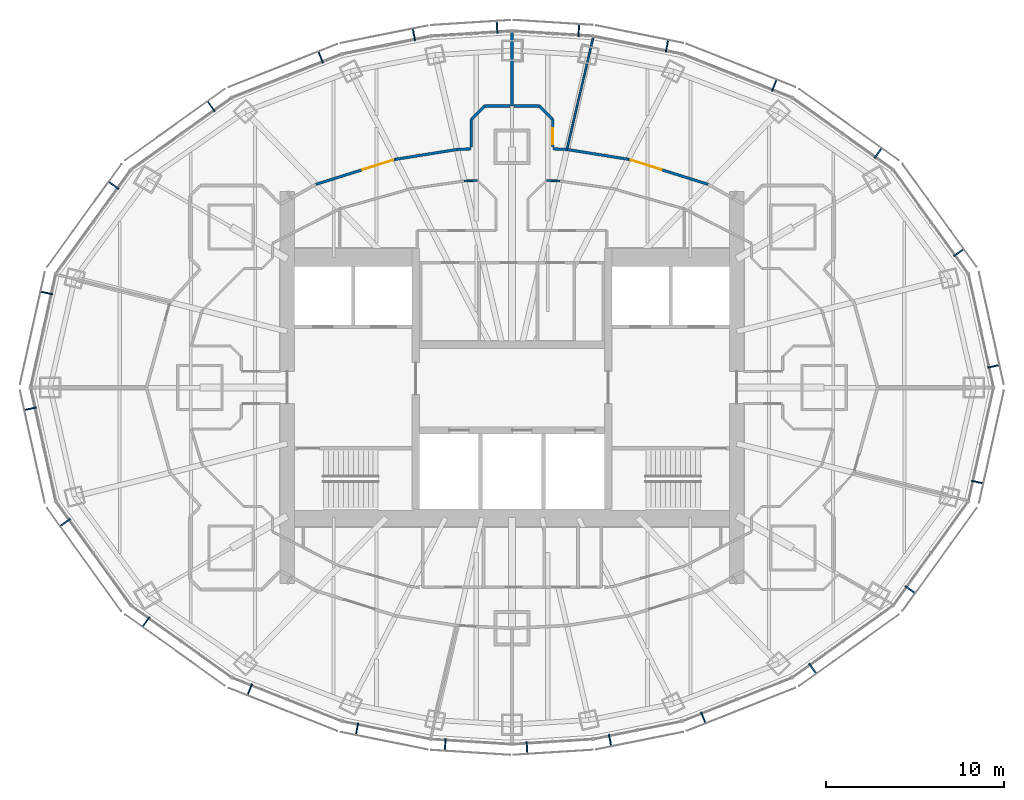
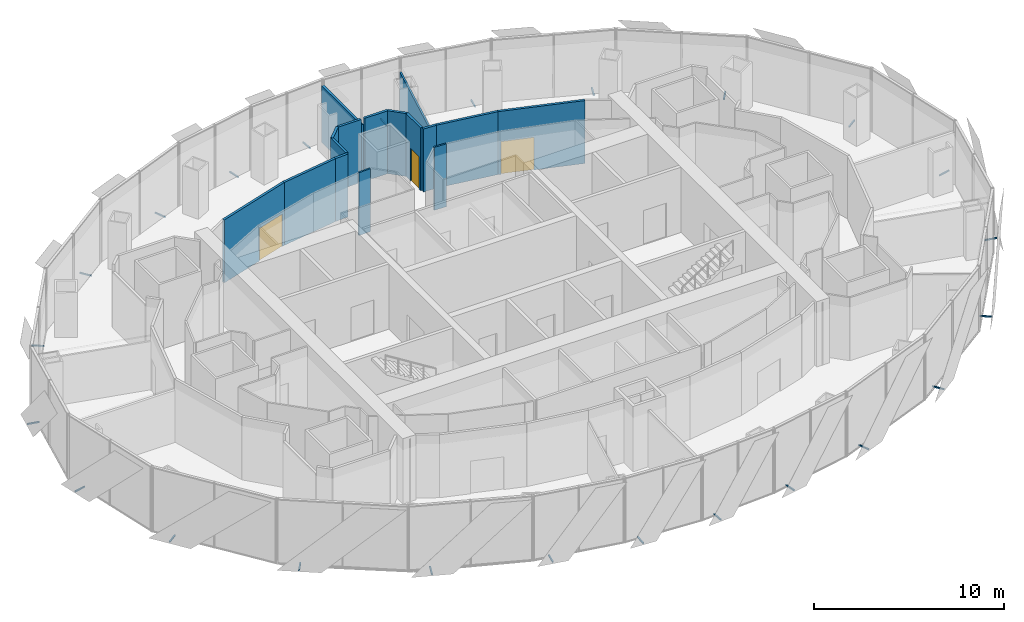
# One storey, part 15 of 18: 24 discrete accessories, 16 walls, 3 doors, 3 openings.
"""IFC4 building model written with IfcOpenShell, lengths in metres."""

import ifcopenshell
import ifcopenshell.guid

model = None  # the IFC model being written
_history = None  # IfcOwnerHistory: only IFC2X3 demands one
_inside = {}  # id of a spatial element -> (the spatial element, [elements in it])
_under = {}  # id of a project, library or spatial element -> (it, [spatial elements below it])
_declared = {}  # id of a project -> (the project, [libraries it declares])
_typed = {}  # id of a type object -> (the type object, [elements of that type])
_made_of = {}  # id of a material, layer set ... -> (it, [elements and type objects made of it])


def new_model(schema):
    """Start an empty IFC model of exactly this schema.

    Asked for "IFC4X3", IfcOpenShell would pick the latest addendum, in which some entities
    have other attributes; the version numbers below select the first issue.
    IFC2X3 requires an IfcOwnerHistory on every rooted entity: one is made here for all.
    """
    global model, _history
    if schema == "IFC4X3":
        model = ifcopenshell.file(schema_version=(4, 3, 0, 0))
    else:
        model = ifcopenshell.file(schema=schema)
    _inside.clear()
    _under.clear()
    _declared.clear()
    _typed.clear()
    _made_of.clear()
    _history = None
    if model.schema == "IFC2X3":
        org = make("IfcOrganization", Name="unknown")
        user = make(
            "IfcPersonAndOrganization",
            ThePerson=make("IfcPerson", FamilyName="unknown"),
            TheOrganization=org,
        )
        app = make(
            "IfcApplication",
            ApplicationDeveloper=org,
            Version="unknown",
            ApplicationFullName="unknown",
            ApplicationIdentifier="unknown",
        )
        _history = make(
            "IfcOwnerHistory",
            OwningUser=user,
            OwningApplication=app,
            ChangeAction="ADDED",
            CreationDate=0,
        )
    return model


def make(cls, **values):
    """One entity of the class cls with the attributes given. An attribute that is None is left unset."""
    return model.create_entity(
        cls, **{name: value for name, value in values.items() if value is not None}
    )


def rooted(cls, **values):
    """An entity with a GlobalId (a new one), such as an element, a storey or a relation."""
    return make(cls, GlobalId=ifcopenshell.guid.new(), OwnerHistory=_history, **values)


def si_unit(unit_type, name, prefix=None):
    """IfcSIUnit, for example si_unit("LENGTHUNIT", "METRE", prefix="MILLI")."""
    return make("IfcSIUnit", UnitType=unit_type, Prefix=prefix, Name=name)


def assignment(units):
    """IfcUnitAssignment: the units of a project."""
    return None if units is None else make("IfcUnitAssignment", Units=units)


def point(xyz):
    """IfcCartesianPoint."""
    return None if xyz is None else make("IfcCartesianPoint", Coordinates=xyz)


def direction(xyz):
    """IfcDirection."""
    return None if xyz is None else make("IfcDirection", DirectionRatios=xyz)


def frame(location, z_axis=None, x_axis=None):
    """IfcAxis2Placement3D, a coordinate frame: its origin and axes. An axis left out is left unset."""
    return make(
        "IfcAxis2Placement3D",
        Location=point(location),
        Axis=direction(z_axis),
        RefDirection=direction(x_axis),
    )


def frame_2d(location, x_axis=None):
    """IfcAxis2Placement2D, a coordinate frame in the plane: its origin and x axis."""
    return make(
        "IfcAxis2Placement2D", Location=point(location), RefDirection=direction(x_axis)
    )


def origin():
    """The frame at (0, 0, 0) with its axes left unset."""
    return frame((0.0, 0.0, 0.0))


def origin_2d():
    """The frame at (0, 0) in the plane with its x axis left unset."""
    return frame_2d((0.0, 0.0))


def place(relative_to, where):
    """IfcLocalPlacement: puts the frame where relative to a parent placement (None: the world)."""
    return make(
        "IfcLocalPlacement", PlacementRelTo=relative_to, RelativePlacement=where
    )


def context(
    kind, dimensions, precision=None, world=None, true_north=None, identifier=None
):
    """IfcGeometricRepresentationContext, for example the 3D "Model" context."""
    return make(
        "IfcGeometricRepresentationContext",
        ContextIdentifier=identifier,
        ContextType=kind,
        CoordinateSpaceDimension=dimensions,
        Precision=precision,
        WorldCoordinateSystem=world,
        TrueNorth=true_north,
    )


def subcontext(parent, identifier, kind, view, scale=None):
    """IfcGeometricRepresentationSubContext, for example "Body" below "Model"."""
    return make(
        "IfcGeometricRepresentationSubContext",
        ContextIdentifier=identifier,
        ContextType=kind,
        ParentContext=parent,
        TargetScale=scale,
        TargetView=view,
    )


def project(units=None, contexts=None):
    """IfcProject with its units and contexts."""
    return rooted(
        "IfcProject",
        Name="project",
        RepresentationContexts=contexts,
        UnitsInContext=assignment(units),
    )


def spatial(cls, under=None, at=None, **own):
    """A site, building, storey or space (cls), placed at a placement, below another one or the project."""
    s = rooted(cls, ObjectPlacement=at, **own)
    if under is not None:
        _under.setdefault(under.id(), (under, []))[1].append(s)
    return s


def profile(cls, at=None, kind="AREA", **sizes):
    """A parametric profile (cls). Its sizes go by their IFC names, for example OverallWidth=200.0."""
    return make(cls, ProfileType=kind, Position=at, **sizes)


def rectangle(**sizes):
    """IfcRectangleProfileDef."""
    return profile("IfcRectangleProfileDef", **sizes)


def extrude(swept, where, along, depth):
    """IfcExtrudedAreaSolid: the profile swept, set in the frame where, extruded along a direction by depth."""
    return make(
        "IfcExtrudedAreaSolid",
        SweptArea=swept,
        Position=where,
        ExtrudedDirection=direction(along),
        Depth=depth,
    )


def shape(context_of_items, identifier, shape_type, items):
    """IfcShapeRepresentation: the items that make up one representation, for example the "Body"."""
    return make(
        "IfcShapeRepresentation",
        ContextOfItems=context_of_items,
        RepresentationIdentifier=identifier,
        RepresentationType=shape_type,
        Items=items,
    )


def material(Name=None, Category=None):
    """IfcMaterial."""
    return make("IfcMaterial", Name=Name, Category=Category)


def layer(
    of_material, thickness, ventilated=None, Name=None, Category=None, Priority=None
):
    """IfcMaterialLayer: one layer of a wall or slab, of a material (None: an air gap)."""
    return make(
        "IfcMaterialLayer",
        Material=of_material,
        LayerThickness=thickness,
        IsVentilated=ventilated,
        Name=Name,
        Category=Category,
        Priority=Priority,
    )


def layer_set(layers, Name=None):
    """IfcMaterialLayerSet."""
    return make("IfcMaterialLayerSet", MaterialLayers=layers, LayerSetName=Name)


def made_of(thing, what):
    """Note that an element or type object is made of a material, layer set ...; save() writes the relation."""
    if what is not None:
        _made_of.setdefault(what.id(), (what, []))[1].append(thing)
    return thing


def type_object(cls, material=None, **own):
    """A type object (cls), such as IfcWallType, which elements share."""
    return made_of(rooted(cls, **own), material)


def element(
    cls,
    number,
    at=None,
    inside=None,
    cuts=None,
    type_object=None,
    material=None,
    context=None,
    identifier="Body",
    shape_type=None,
    held_by="IfcProductDefinitionShape",
    body=None,
    shapes=None,
    **own,
):
    """One element of the class cls, such as IfcWall. Its Tag is "e" and its number.

    at: its placement. inside: the storey or other place that contains it. cuts: it is an
    opening in that element (IfcRelVoidsElement). A single representation is given by context,
    identifier, shape_type and body (its items); several are given by shapes. held_by: the class
    of the entity that holds the representations. save() writes the other relations.
    """
    e = rooted(cls, Tag="e%d" % number, ObjectPlacement=at, **own)
    if body is not None:
        shapes = [shape(context, identifier, shape_type, body)]
    if shapes is not None:
        e.Representation = make(held_by, Representations=shapes)
    if inside is not None:
        _inside.setdefault(inside.id(), (inside, []))[1].append(e)
    if cuts is not None:
        rooted(
            "IfcRelVoidsElement", RelatingBuildingElement=cuts, RelatedOpeningElement=e
        )
    if type_object is not None:
        _typed.setdefault(type_object.id(), (type_object, []))[1].append(e)
    return made_of(e, material)


def fill(opening, filler):
    """IfcRelFillsElement: the door or window that sits in an opening."""
    return rooted(
        "IfcRelFillsElement",
        RelatingOpeningElement=opening,
        RelatedBuildingElement=filler,
    )


def aggregate(whole, parts):
    """IfcRelAggregates: a whole, such as a stair, and the parts it consists of."""
    return rooted("IfcRelAggregates", RelatingObject=whole, RelatedObjects=parts)


def save(model, path):
    """Write the relations noted so far, then the file.

    IfcRelAggregates (storeys below a building ...), IfcRelContainedInSpatialStructure (elements
    in a storey), IfcRelDefinesByType, IfcRelAssociatesMaterial and IfcRelDeclares: one each for
    every whole, place, type object, material and project.
    """
    for whole, parts in _under.values():
        aggregate(whole, parts)
    for where, things in _inside.values():
        rooted(
            "IfcRelContainedInSpatialStructure",
            RelatedElements=things,
            RelatingStructure=where,
        )
    for kind, things in _typed.values():
        rooted("IfcRelDefinesByType", RelatedObjects=things, RelatingType=kind)
    for what, things in _made_of.values():
        rooted("IfcRelAssociatesMaterial", RelatedObjects=things, RelatingMaterial=what)
    for by, libraries in _declared.values():
        rooted("IfcRelDeclares", RelatingContext=by, RelatedDefinitions=libraries)
    model.write(path)


model = new_model("IFC4")

# Units and contexts
model_context = context("Model", 3, precision=1e-05, world=origin(), true_north=direction((0.0, 1.0)))
body_context = subcontext(model_context, "Body", "Model", "MODEL_VIEW")
ifc_project = project(units=[si_unit("LENGTHUNIT", "METRE"), si_unit("AREAUNIT", "SQUARE_METRE"), si_unit("VOLUMEUNIT", "CUBIC_METRE"), si_unit("PLANEANGLEUNIT", "RADIAN"), si_unit("MASSUNIT", "GRAM", prefix="KILO")], contexts=[model_context])

# Site, building, storey
site_placement = place(None, origin())
site = spatial("IfcSite", under=ifc_project, at=site_placement, CompositionType="ELEMENT")
building_placement = place(site_placement, origin())
building = spatial("IfcBuilding", under=site, at=building_placement, Name="Lantaw Convention Tower", CompositionType="ELEMENT")
storey_placement = place(building_placement, frame((0.0, 0.0, 262.0)))
storey = spatial("IfcBuildingStorey", under=building, at=storey_placement, Name="L61", CompositionType="ELEMENT", Elevation=262.0)

# Wall, opening, door
ifc_material_1 = material(Name="Gypsum board on steel studs, fire rated", Category="steel")
ifc_layer_1 = layer(ifc_material_1, 0.14990234375)
ifc_layer_set_1 = layer_set([ifc_layer_1], Name="Corridor wall 150 EI 60")
wall_type_1 = type_object("IfcWallType", Name="Corridor wall 150 EI 60", PredefinedType="PARTITIONING", material=ifc_layer_set_1)
wall_1_placement = place(storey_placement, frame((11.000732421875, 11.3916015625, 0.0), z_axis=(0.0, 0.0, 1.0), x_axis=(-0.954031103669, 0.299707612903, 0.0)))
wall_1 = element("IfcWall", 1, at=wall_1_placement, inside=storey, type_object=wall_type_1, Name="Corridor wall 150", PredefinedType="PARTITIONING", context=body_context, shape_type="SweptSolid", body=[
    extrude(rectangle(XDim=4.6953125, YDim=0.14990234375, at=frame_2d((2.34765625, 0.0))), origin(), (0.0, 0.0, 1.0), 4.050048828125),
])
opening_1_placement = place(wall_1_placement, frame((2.745361328125, 0.0, 0.0)))
opening_1 = element("IfcOpeningElement", 2, at=opening_1_placement, cuts=wall_1, Name="Opening L61.30", PredefinedType="OPENING", context=body_context, shape_type="SweptSolid", body=[
    extrude(rectangle(XDim=1.800048828125, YDim=2.10009765625, at=frame_2d((0.89990234375, 1.050048828125))), frame((0.0, 0.0849609375, 0.0), z_axis=(0.0, -1.0, 0.0), x_axis=(1.0, 0.0, 0.0)), (0.0, 0.0, 1.0), 0.169921875),
])
ifc_material_2 = material(Name="Steel, fire rated", Category="steel")
door_type_1 = type_object("IfcDoorType", Name="Office double door 1800 FD30", OperationType="DOUBLE_DOOR_DOUBLE_SWING", PredefinedType="DOOR", material=ifc_material_2)
door_1_placement = place(opening_1_placement, origin())
door_1 = element("IfcDoor", 3, at=door_1_placement, inside=storey, type_object=door_type_1, Name="Tenant suite door", OperationType="DOUBLE_DOOR_DOUBLE_SWING", OverallHeight=2.10009765625, OverallWidth=1.800048828125, PredefinedType="DOOR", context=body_context, shape_type="SweptSolid", body=[
    extrude(rectangle(XDim=1.800048828125, YDim=2.10009765625, at=frame_2d((0.89990234375, 1.050048828125))), frame((0.0, 0.02490234375, 0.0), z_axis=(0.0, -1.0, 0.0), x_axis=(1.0, 0.0, 0.0)), (0.0, 0.0, 1.0), 0.050048828125),
])
fill(opening_1, door_1)

# Walls
for number, where, z_axis, x_axis, name in (
    (4, (6.521240234375, 12.798828125, 0.0), (0.0, 0.0, 1.0), (-0.987554093087, 0.157279729233, 0.0), "Corridor wall 150"),
    (5, (-3.081298828125, 13.3466796875, 0.0), (0.0, 0.0, 1.0), (-0.987554093087, -0.157279729233, 0.0), "Corridor wall 150"),
):
    element("IfcWall", number, at=place(storey_placement, frame(where, z_axis=z_axis, x_axis=x_axis)), inside=storey, type_object=wall_type_1, Name=name, PredefinedType="PARTITIONING", context=body_context, shape_type="SweptSolid", body=[
        extrude(rectangle(XDim=3.4833984375, YDim=0.14990234375, at=frame_2d((1.74169921875, 0.0))), origin(), (0.0, 0.0, 1.0), 4.050048828125),
    ])

# Wall, opening, door
wall_2_placement = place(storey_placement, frame((-6.521240234375, 12.798828125, 0.0), z_axis=(0.0, 0.0, 1.0), x_axis=(-0.954031103669, -0.299707612903, 0.0)))
wall_2 = element("IfcWall", 6, at=wall_2_placement, inside=storey, type_object=wall_type_1, Name="Corridor wall 150", PredefinedType="PARTITIONING", context=body_context, shape_type="SweptSolid", body=[
    extrude(rectangle(XDim=4.6953125, YDim=0.14990234375, at=frame_2d((2.34765625, 0.0))), origin(), (0.0, 0.0, 1.0), 4.050048828125),
])
opening_2_placement = place(wall_2_placement, frame((0.14990234375, 0.0, 0.0)))
opening_2 = element("IfcOpeningElement", 7, at=opening_2_placement, cuts=wall_2, Name="Opening L61.32", PredefinedType="OPENING", context=body_context, shape_type="SweptSolid", body=[
    extrude(rectangle(XDim=1.800048828125, YDim=2.10009765625, at=frame_2d((0.89990234375, 1.050048828125))), frame((0.0, 0.0849609375, 0.0), z_axis=(0.0, -1.0, 0.0), x_axis=(1.0, 0.0, 0.0)), (0.0, 0.0, 1.0), 0.169921875),
])
door_2_placement = place(opening_2_placement, origin())
door_2 = element("IfcDoor", 8, at=door_2_placement, inside=storey, type_object=door_type_1, Name="Tenant suite door", OperationType="DOUBLE_DOOR_DOUBLE_SWING", OverallHeight=2.10009765625, OverallWidth=1.800048828125, PredefinedType="DOOR", context=body_context, shape_type="SweptSolid", body=[
    extrude(rectangle(XDim=1.800048828125, YDim=2.10009765625, at=frame_2d((0.89990234375, 1.050048828125))), frame((0.0, 0.02490234375, 0.0), z_axis=(0.0, -1.0, 0.0), x_axis=(1.0, 0.0, 0.0)), (0.0, 0.0, 1.0), 0.050048828125),
])
fill(opening_2, door_2)

# Walls
for number, where, z_axis, x_axis, name in (
    (9, (3.081298828125, 13.3466796875, 0.0), (0.0, 0.0, 1.0), (-0.998768524691, 0.049612841959, 0.0), "Corridor wall 150"),
    (10, (-2.294921875, 13.3857421875, 0.0), (0.0, 0.0, 1.0), (-0.998768524691, -0.049612841959, 0.0), "Corridor wall 150"),
):
    element("IfcWall", number, at=place(storey_placement, frame(where, z_axis=z_axis, x_axis=x_axis)), inside=storey, type_object=wall_type_1, Name=name, PredefinedType="PARTITIONING", context=body_context, shape_type="SweptSolid", body=[
        extrude(rectangle(XDim=0.787353515625, YDim=0.14990234375, at=frame_2d((0.3935546875, 0.0))), origin(), (0.0, 0.0, 1.0), 4.050048828125),
    ])
wall_3_placement = place(storey_placement, frame((0.103271484375, 15.784912109375, 0.0), z_axis=(0.0, 0.0, 1.0), x_axis=(1.0, 0.0, 0.0)))
element("IfcWall", 11, at=wall_3_placement, inside=storey, type_object=wall_type_1, Name="Corridor wall 150", PredefinedType="PARTITIONING", context=body_context, shape_type="SweptSolid", body=[
    extrude(rectangle(XDim=1.428955078125, YDim=0.14990234375, at=frame_2d((0.71435546875, 0.0))), origin(), (0.0, 0.0, 1.0), 4.050048828125),
])
wall_4_placement = place(storey_placement, frame((1.5322265625, 15.784912109375, 0.0), z_axis=(0.0, 0.0, 1.0), x_axis=(0.707106781187, -0.707106781187, 0.0)))
element("IfcWall", 12, at=wall_4_placement, inside=storey, type_object=wall_type_1, Name="Corridor wall 150", PredefinedType="PARTITIONING", context=body_context, shape_type="SweptSolid", body=[
    extrude(rectangle(XDim=1.064453125, YDim=0.14990234375, at=frame_2d((0.5322265625, 0.0))), origin(), (0.0, 0.0, 1.0), 4.050048828125),
])

# Wall, opening, door
wall_5_placement = place(storey_placement, frame((2.284912109375, 15.0322265625, 0.0), z_axis=(0.0, 0.0, 1.0), x_axis=(0.0, -1.0, 0.0)))
wall_5 = element("IfcWall", 13, at=wall_5_placement, inside=storey, type_object=wall_type_1, Name="Corridor wall 150", PredefinedType="PARTITIONING", context=body_context, shape_type="SweptSolid", body=[
    extrude(rectangle(XDim=1.544921875, YDim=0.14990234375, at=frame_2d((0.7724609375, 0.0))), origin(), (0.0, 0.0, 1.0), 4.050048828125),
])
opening_3_placement = place(wall_5_placement, frame((0.5, 0.0, 0.0)))
opening_3 = element("IfcOpeningElement", 14, at=opening_3_placement, cuts=wall_5, Name="Opening L61.31", PredefinedType="OPENING", context=body_context, shape_type="SweptSolid", body=[
    extrude(rectangle(XDim=0.89990234375, YDim=2.10009765625, at=frame_2d((0.449951171875, 1.050048828125))), frame((0.0, 0.0849609375, 0.0), z_axis=(0.0, -1.0, 0.0), x_axis=(1.0, 0.0, 0.0)), (0.0, 0.0, 1.0), 0.169921875),
])
door_type_2 = type_object("IfcDoorType", Name="Office door 900 FD30", OperationType="SINGLE_SWING_LEFT", PredefinedType="DOOR", material=ifc_material_2)
door_3_placement = place(opening_3_placement, origin())
door_3 = element("IfcDoor", 15, at=door_3_placement, inside=storey, type_object=door_type_2, Name="Meeting room door", OperationType="SINGLE_SWING_LEFT", OverallHeight=2.10009765625, OverallWidth=0.89990234375, PredefinedType="DOOR", context=body_context, shape_type="SweptSolid", body=[
    extrude(rectangle(XDim=0.89990234375, YDim=2.10009765625, at=frame_2d((0.449951171875, 1.050048828125))), frame((0.0, 0.02490234375, 0.0), z_axis=(0.0, -1.0, 0.0), x_axis=(1.0, 0.0, 0.0)), (0.0, 0.0, 1.0), 0.050048828125),
])
fill(opening_3, door_3)

# Walls
wall_6_placement = place(storey_placement, frame((-2.284912109375, 13.4873046875, 0.0), z_axis=(0.0, 0.0, 1.0), x_axis=(0.0, 1.0, 0.0)))
element("IfcWall", 16, at=wall_6_placement, inside=storey, type_object=wall_type_1, Name="Corridor wall 150", PredefinedType="PARTITIONING", context=body_context, shape_type="SweptSolid", body=[
    extrude(rectangle(XDim=1.544921875, YDim=0.14990234375, at=frame_2d((0.7724609375, 0.0))), origin(), (0.0, 0.0, 1.0), 4.050048828125),
])
wall_7_placement = place(storey_placement, frame((-2.284912109375, 15.0322265625, 0.0), z_axis=(0.0, 0.0, 1.0), x_axis=(0.707106781187, 0.707106781187, 0.0)))
element("IfcWall", 17, at=wall_7_placement, inside=storey, type_object=wall_type_1, Name="Corridor wall 150", PredefinedType="PARTITIONING", context=body_context, shape_type="SweptSolid", body=[
    extrude(rectangle(XDim=1.064453125, YDim=0.14990234375, at=frame_2d((0.5322265625, 0.0))), origin(), (0.0, 0.0, 1.0), 4.050048828125),
])
wall_8_placement = place(storey_placement, frame((-1.5322265625, 15.784912109375, 0.0), z_axis=(0.0, 0.0, 1.0), x_axis=(1.0, 0.0, 0.0)))
element("IfcWall", 18, at=wall_8_placement, inside=storey, type_object=wall_type_1, Name="Corridor wall 150", PredefinedType="PARTITIONING", context=body_context, shape_type="SweptSolid", body=[
    extrude(rectangle(XDim=1.428955078125, YDim=0.14990234375, at=frame_2d((0.71435546875, 0.0))), origin(), (0.0, 0.0, 1.0), 4.050048828125),
])
ifc_material_3 = material(Name="Gypsum board on steel studs, acoustic", Category="steel")
ifc_layer_2 = layer(ifc_material_3, 0.10009765625)
ifc_layer_set_2 = layer_set([ifc_layer_2], Name="Office partition 100")
wall_type_2 = type_object("IfcWallType", Name="Office partition 100", PredefinedType="PARTITIONING", material=ifc_layer_set_2)
wall_9_placement = place(storey_placement, frame((4.5556640625, 19.65673828125, 0.0), z_axis=(0.0, 0.0, 1.0), x_axis=(-0.227524978141, -0.973772244584, 0.0)))
element("IfcWall", 19, at=wall_9_placement, inside=storey, type_object=wall_type_2, Name="Office partition 100", PredefinedType="PARTITIONING", context=body_context, shape_type="SweptSolid", body=[
    extrude(rectangle(XDim=6.47998046875, YDim=0.10009765625, at=frame_2d((3.239990234375, 0.0))), origin(), (0.0, 0.0, 1.0), 3.107666015625),
])
for number, where, z_axis, x_axis, name in (
    (20, (1.944091796875, 11.612548828125, 0.0), (0.0, 0.0, 1.0), (0.99899525873, -0.04481599085, 0.0), "Office partition 100"),
    (21, (-2.67333984375, 11.579833984375, 0.0), (0.0, 0.0, 1.0), (0.99899525873, 0.04481599085, 0.0), "Office partition 100"),
):
    element("IfcWall", number, at=place(storey_placement, frame(where, z_axis=z_axis, x_axis=x_axis)), inside=storey, type_object=wall_type_2, Name=name, PredefinedType="PARTITIONING", context=body_context, shape_type="SweptSolid", body=[
        extrude(rectangle(XDim=0.72998046875, YDim=0.10009765625, at=frame_2d((0.364990234375, 0.0))), origin(), (0.0, 0.0, 1.0), 4.050048828125),
    ])
ifc_layer_3 = layer(ifc_material_1, 0.14990234375)
ifc_layer_set_3 = layer_set([ifc_layer_3], Name="Tenant separation wall 150 EI 60")
wall_type_3 = type_object("IfcWallType", Name="Tenant separation wall 150 EI 60", PredefinedType="PARTITIONING", material=ifc_layer_set_3)
wall_10_placement = place(storey_placement, frame((0.0, 19.94482421875, 0.0), z_axis=(0.0, 0.0, 1.0), x_axis=(0.0, -1.0, 0.0)))
element("IfcWall", 22, at=wall_10_placement, inside=storey, type_object=wall_type_3, Name="Tenant separation wall 150", PredefinedType="PARTITIONING", context=body_context, shape_type="SweptSolid", body=[
    extrude(rectangle(XDim=4.14990234375, YDim=0.14990234375, at=frame_2d((2.074951171875, 0.0))), origin(), (0.0, 0.0, 1.0), 3.646240234375),
])

# Discrete accessories
for number, where, z_axis, x_axis, name in (
    (23, (27.002197265625, 1.189453125, -0.114990234375), (0.0, 0.0, 1.0), (-0.215891333626, 0.976417396437, 0.0), "Screen bracket"),
    (24, (25.05419921875, 7.564453125, -0.114990234375), (0.0, 0.0, 1.0), (-0.585157643865, 0.810919559405, 0.0), "Screen bracket"),
    (25, (20.524169921875, 13.14453125, -0.114990234375), (0.0, 0.0, 1.0), (-0.813672540482, 0.581323487281, 0.0), "Screen bracket"),
    (26, (14.707763671875, 16.94140625, -0.114990234375), (0.0, 0.0, 1.0), (-0.929761533743, 0.368162315252, 0.0), "Screen bracket"),
    (27, (8.68896484375, 19.145751953125, -0.114990234375), (0.0, 0.0, 1.0), (-0.980366679695, 0.197183095987, 0.0), "Screen bracket"),
    (28, (3.743896484375, 20.024169921875, -0.114990234375), (0.0, 0.0, 1.0), (-0.998028774865, 0.062757983884, 0.0), "Screen bracket"),
    (29, (-0.83984375, 20.206787109375, -0.114990234375), (0.0, 0.0, 1.0), (-0.998028774865, -0.062757983884, 0.0), "Screen bracket"),
    (30, (-5.49853515625, 19.78759765625, -0.114990234375), (0.0, 0.0, 1.0), (-0.980366679695, -0.197183095987, 0.0), "Screen bracket"),
    (31, (-10.7255859375, 18.518310546875, -0.114990234375), (0.0, 0.0, 1.0), (-0.929761533743, -0.368162315252, 0.0), "Screen bracket"),
    (32, (-16.863525390625, 15.759765625, -0.114990234375), (0.0, 0.0, 1.0), (-0.813672540482, -0.581323487281, 0.0), "Screen bracket"),
    (33, (-22.333251953125, 11.3349609375, -0.114990234375), (0.0, 0.0, 1.0), (-0.585157643865, -0.810919559405, 0.0), "Screen bracket"),
    (34, (-26.0927734375, 5.302490234375, -0.114990234375), (0.0, 0.0, 1.0), (-0.215891333626, -0.976417396437, 0.0), "Screen bracket"),
    (35, (-27.002197265625, -1.189453125, -0.114990234375), (0.0, 0.0, 1.0), (0.215891333626, -0.976417396437, 0.0), "Screen bracket"),
    (36, (-25.05419921875, -7.564453125, -0.114990234375), (0.0, 0.0, 1.0), (0.585157643865, -0.810919559405, 0.0), "Screen bracket"),
    (37, (-20.524169921875, -13.14453125, -0.114990234375), (0.0, 0.0, 1.0), (0.813672540482, -0.581323487281, 0.0), "Screen bracket"),
    (38, (-14.707763671875, -16.94140625, -0.114990234375), (0.0, 0.0, 1.0), (0.929761533743, -0.368162315252, 0.0), "Screen bracket"),
    (39, (-8.68896484375, -19.145751953125, -0.114990234375), (0.0, 0.0, 1.0), (0.980366679695, -0.197183095987, 0.0), "Screen bracket"),
    (40, (-3.743896484375, -20.024169921875, -0.114990234375), (0.0, 0.0, 1.0), (0.998028774865, -0.062757983884, 0.0), "Screen bracket"),
    (41, (0.83984375, -20.206787109375, -0.114990234375), (0.0, 0.0, 1.0), (0.998028774865, 0.062757983884, 0.0), "Screen bracket"),
    (42, (5.49853515625, -19.78759765625, -0.114990234375), (0.0, 0.0, 1.0), (0.980366679695, 0.197183095987, 0.0), "Screen bracket"),
    (43, (10.7255859375, -18.518310546875, -0.114990234375), (0.0, 0.0, 1.0), (0.929761533743, 0.368162315252, 0.0), "Screen bracket"),
    (44, (16.863525390625, -15.759765625, -0.114990234375), (0.0, 0.0, 1.0), (0.813672540482, 0.581323487281, 0.0), "Screen bracket"),
    (45, (22.333251953125, -11.3349609375, -0.114990234375), (0.0, 0.0, 1.0), (0.585157643865, 0.810919559405, 0.0), "Screen bracket"),
    (46, (26.0927734375, -5.302490234375, -0.114990234375), (0.0, 0.0, 1.0), (0.215891333626, 0.976417396437, 0.0), "Screen bracket"),
):
    element("IfcDiscreteAccessory", number, at=place(storey_placement, frame(where, z_axis=z_axis, x_axis=x_axis)), inside=storey, Name=name, PredefinedType="BRACKET", context=body_context, shape_type="SweptSolid", body=[
        extrude(rectangle(XDim=0.080078125, YDim=0.68798828125, at=origin_2d()), origin(), (0.0, 0.0, 1.0), 0.080078125),
    ])

save(model, "model.ifc")
